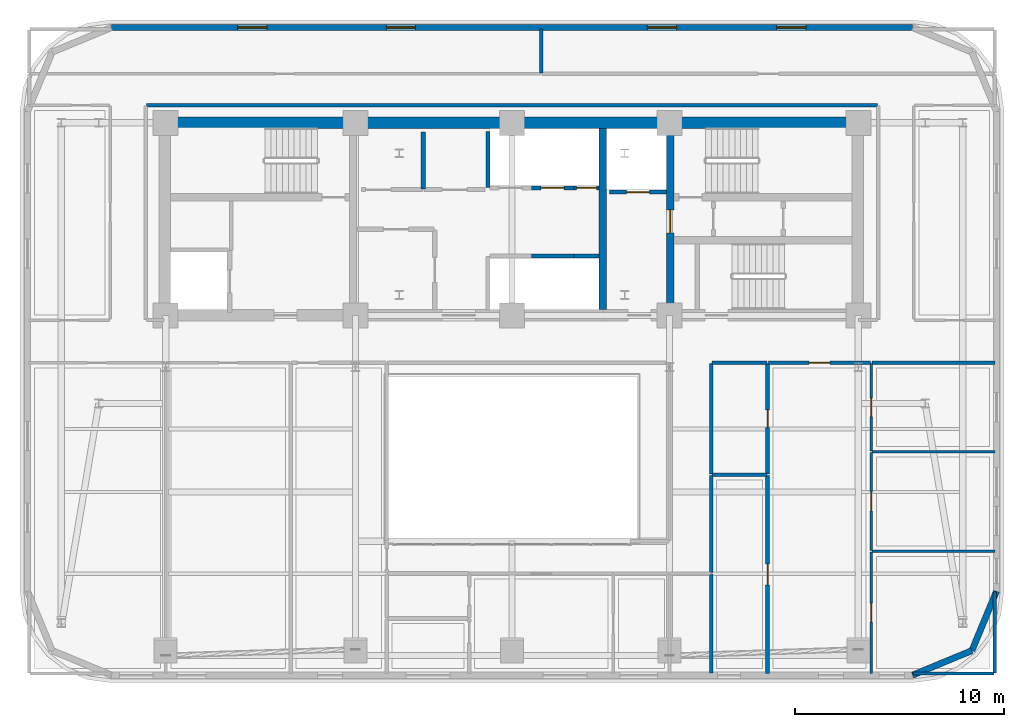
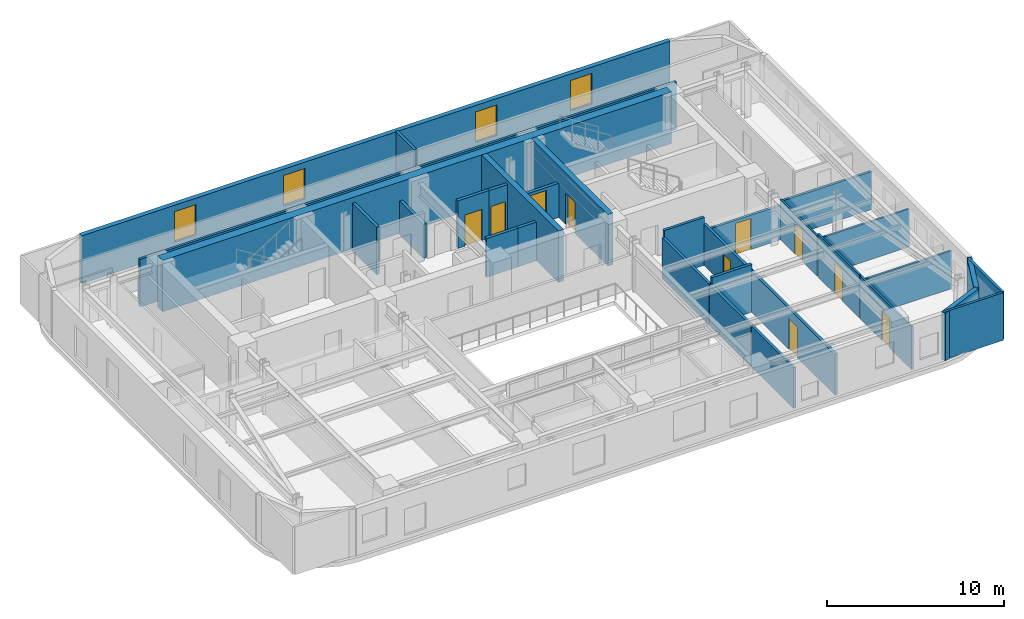
# One storey, part 7 of 12: 31 walls, 10 doors, 4 windows, 14 openings.
"""IFC4 building model written with IfcOpenShell, lengths in metres."""

from ifc_helpers import new_model, si_unit, direction, frame, frame_2d, origin, place, context, subcontext, project, spatial, rectangle, extrude, material, layer, layer_set, type_object, element, fill, save


model = new_model("IFC4")

# Units and contexts
model_context = context("Model", 3, precision=1e-05, world=origin(), true_north=direction((0.0, 1.0)))
body_context = subcontext(model_context, "Body", "Model", "MODEL_VIEW")
ifc_project = project(units=[si_unit("LENGTHUNIT", "METRE"), si_unit("AREAUNIT", "SQUARE_METRE"), si_unit("VOLUMEUNIT", "CUBIC_METRE"), si_unit("PLANEANGLEUNIT", "RADIAN"), si_unit("MASSUNIT", "GRAM", prefix="KILO")], contexts=[model_context])

# Site, building, storey
site_placement = place(None, origin())
site = spatial("IfcSite", under=ifc_project, at=site_placement, CompositionType="ELEMENT")
building_placement = place(site_placement, origin())
building = spatial("IfcBuilding", under=site, at=building_placement, Name="Zarnavel Station Tower", CompositionType="ELEMENT")
storey_placement = place(building_placement, frame((0.0, 0.0, 159.0)))
storey = spatial("IfcBuildingStorey", under=building, at=storey_placement, Name="L43", CompositionType="ELEMENT", Elevation=159.0)

# Wall
ifc_material_1 = material(Name="Concrete C50/60", Category="concrete")
ifc_layer_1 = layer(ifc_material_1, 0.35009765625)
ifc_layer_set_1 = layer_set([ifc_layer_1], Name="CW_350")
wall_type_1 = type_object("IfcWallType", Name="CW_350", PredefinedType="SHEAR", material=ifc_layer_set_1)
wall_1_placement = place(storey_placement, frame((33.14990234375, 28.094970703125, 0.0), z_axis=(0.0, 0.0, 1.0), x_axis=(0.0, 1.0, 0.0)))
element("IfcWall", 1, at=wall_1_placement, inside=storey, type_object=wall_type_1, Name="L43 Rear Core Shear Wall DIV-E", PredefinedType="SHEAR", context=body_context, shape_type="SweptSolid", body=[
    extrude(rectangle(XDim=8.679931640625, YDim=0.35009765625, at=frame_2d((4.33984375, 0.0))), origin(), (0.0, 0.0, 1.0), 3.550048828125),
])

# Wall, opening, door
wall_2_placement = place(storey_placement, frame((36.3798828125, 28.094970703125, 0.0), z_axis=(0.0, 0.0, 1.0), x_axis=(0.0, 1.0, 0.0)))
wall_2 = element("IfcWall", 2, at=wall_2_placement, inside=storey, type_object=wall_type_1, Name="L43 Rear Core Shear Wall DIV-S2", PredefinedType="SHEAR", context=body_context, shape_type="SweptSolid", body=[
    extrude(rectangle(XDim=8.679931640625, YDim=0.35009765625, at=frame_2d((4.33984375, 0.0))), origin(), (0.0, 0.0, 1.0), 3.550048828125),
])
opening_1_placement = place(wall_2_placement, frame((3.68505859375, 0.0, 0.0)))
opening_1 = element("IfcOpeningElement", 3, at=opening_1_placement, cuts=wall_2, Name="Opening FD01", PredefinedType="OPENING", context=body_context, shape_type="SweptSolid", body=[
    extrude(rectangle(XDim=1.10009765625, YDim=2.14990234375, at=frame_2d((0.550048828125, 1.074951171875))), frame((0.0, 0.18505859375, 0.0), z_axis=(0.0, -1.0, 0.0), x_axis=(1.0, 0.0, 0.0)), (0.0, 0.0, 1.0), 0.3701171875),
])
ifc_material_2 = material(Name="Painted Galvanised Steel and Hardwood Leaf", Category="steel")
door_type_1 = type_object("IfcDoorType", Name="ID_STAIR_1100", OperationType="NOTDEFINED", PredefinedType="DOOR", material=ifc_material_2)
door_1_placement = place(opening_1_placement, origin())
door_1 = element("IfcDoor", 4, at=door_1_placement, inside=storey, type_object=door_type_1, Name="L43 East Stair Vestibule Fire Door", OperationType="SINGLE_SWING_LEFT", OverallHeight=2.14990234375, OverallWidth=1.10009765625, PredefinedType="DOOR", context=body_context, shape_type="SweptSolid", body=[
    extrude(rectangle(XDim=1.10009765625, YDim=2.14990234375, at=frame_2d((0.550048828125, 1.074951171875))), frame((0.0, 0.02490234375, 0.0), z_axis=(0.0, -1.0, 0.0), x_axis=(1.0, 0.0, 0.0)), (0.0, 0.0, 1.0), 0.050048828125),
])
fill(opening_1, door_1)

# Walls
ifc_material_3 = material(Name="Concrete C50/60", Category="concrete")
ifc_layer_2 = layer(ifc_material_3, 0.550048828125)
ifc_layer_set_2 = layer_set([ifc_layer_2], Name="CW_550")
wall_type_2 = type_object("IfcWallType", Name="CW_550", PredefinedType="SHEAR", material=ifc_layer_set_2)
wall_3_placement = place(storey_placement, frame((12.14990234375, 37.050048828125, 0.0), z_axis=(0.0, 0.0, 1.0), x_axis=(1.0, 0.0, 0.0)))
element("IfcWall", 5, at=wall_3_placement, inside=storey, type_object=wall_type_2, Name="L43 Rear Core Shear Wall N", PredefinedType="SHEAR", context=body_context, shape_type="SweptSolid", body=[
    extrude(rectangle(XDim=33.22998046875, YDim=0.550048828125, at=frame_2d((16.614990234375, 0.0))), origin(), (0.0, 0.0, 1.0), 3.550048828125),
])
ifc_material_4 = material(Name="Precast concrete C45/55 (Dark Basalt Finish)", Category="masonry")
ifc_layer_3 = layer(ifc_material_4, 0.300048828125)
ifc_layer_set_3 = layer_set([ifc_layer_3], Name="EW_BASALT_300")
wall_type_3 = type_object("IfcWallType", Name="EW_BASALT_300", PredefinedType="SOLIDWALL", material=ifc_layer_set_3)
wall_4_placement = place(storey_placement, frame((50.842529296875, 11.75732421875, 0.0), z_axis=(0.0, 0.0, 1.0), x_axis=(-0.92389884758, -0.382636798336, 0.0)))
element("IfcWall", 6, at=wall_4_placement, inside=storey, type_object=wall_type_3, Name="L43 Exterior Basalt Masonry Frame Wall 01", PredefinedType="SOLIDWALL", context=body_context, shape_type="SweptSolid", body=[
    extrude(rectangle(XDim=3.07666015625, YDim=0.300048828125, at=frame_2d((1.538330078125, 0.0))), origin(), (0.0, 0.0, 1.0), 3.2900390625),
])
wall_5_placement = place(storey_placement, frame((52.02001953125, 14.60009765625, 0.0), z_axis=(0.0, 0.0, 1.0), x_axis=(-0.382676475685, -0.923882414032, 0.0)))
element("IfcWall", 7, at=wall_5_placement, inside=storey, type_object=wall_type_3, Name="L43 Exterior Basalt Masonry Frame Wall 02", PredefinedType="SOLIDWALL", context=body_context, shape_type="SweptSolid", body=[
    extrude(rectangle(XDim=3.076904296875, YDim=0.300048828125, at=frame_2d((1.53857421875, 0.0))), origin(), (0.0, 0.0, 1.0), 3.2900390625),
])

# Wall, openings, windows
wall_6_placement = place(storey_placement, frame((9.60009765625, 41.6201171875, 0.0), z_axis=(0.0, 0.0, 1.0), x_axis=(1.0, 0.0, 0.0)))
wall_6 = element("IfcWall", 8, at=wall_6_placement, inside=storey, type_object=wall_type_3, Name="L43 Exterior Basalt Masonry Frame Wall 06", PredefinedType="SOLIDWALL", context=body_context, shape_type="SweptSolid", body=[
    extrude(rectangle(XDim=38.39990234375, YDim=0.300048828125, at=frame_2d((19.199951171875, 0.0))), origin(), (0.0, 0.0, 1.0), 3.2900390625),
])
opening_2_placement = place(wall_6_placement, frame((6.046630859375, 0.0, 0.75)))
opening_2 = element("IfcOpeningElement", 9, at=opening_2_placement, cuts=wall_6, Name="Opening WN04", PredefinedType="OPENING", context=body_context, shape_type="SweptSolid", body=[
    extrude(rectangle(XDim=1.39990234375, YDim=2.10009765625, at=frame_2d((0.699951171875, 1.050048828125))), frame((0.0, 0.159912109375, 0.0), z_axis=(0.0, -1.0, 0.0), x_axis=(1.0, 0.0, 0.0)), (0.0, 0.0, 1.0), 0.320068359375),
])
opening_3_placement = place(wall_6_placement, frame((13.17333984375, 0.0, 0.75)))
opening_3 = element("IfcOpeningElement", 10, at=opening_3_placement, cuts=wall_6, Name="Opening WN04", PredefinedType="OPENING", context=body_context, shape_type="SweptSolid", body=[
    extrude(rectangle(XDim=1.39990234375, YDim=2.10009765625, at=frame_2d((0.699951171875, 1.050048828125))), frame((0.0, 0.159912109375, 0.0), z_axis=(0.0, -1.0, 0.0), x_axis=(1.0, 0.0, 0.0)), (0.0, 0.0, 1.0), 0.320068359375),
])
opening_4_placement = place(wall_6_placement, frame((25.693359375, 0.0, 0.75)))
opening_4 = element("IfcOpeningElement", 11, at=opening_4_placement, cuts=wall_6, Name="Opening WN04", PredefinedType="OPENING", context=body_context, shape_type="SweptSolid", body=[
    extrude(rectangle(XDim=1.39990234375, YDim=2.10009765625, at=frame_2d((0.699951171875, 1.050048828125))), frame((0.0, 0.159912109375, 0.0), z_axis=(0.0, -1.0, 0.0), x_axis=(1.0, 0.0, 0.0)), (0.0, 0.0, 1.0), 0.320068359375),
])
opening_5_placement = place(wall_6_placement, frame((31.88671875, 0.0, 0.75)))
opening_5 = element("IfcOpeningElement", 12, at=opening_5_placement, cuts=wall_6, Name="Opening WN04", PredefinedType="OPENING", context=body_context, shape_type="SweptSolid", body=[
    extrude(rectangle(XDim=1.39990234375, YDim=2.10009765625, at=frame_2d((0.699951171875, 1.050048828125))), frame((0.0, 0.159912109375, 0.0), z_axis=(0.0, -1.0, 0.0), x_axis=(1.0, 0.0, 0.0)), (0.0, 0.0, 1.0), 0.320068359375),
])
ifc_material_5 = material(Name="Thermally Broken Black Aluminium and Low-E Dark Glass", Category="aluminium")
window_type = type_object("IfcWindowType", Name="WN_1400x2100", PartitioningType="DOUBLE_PANEL_VERTICAL", PredefinedType="WINDOW", material=ifc_material_5)
window_1_placement = place(opening_2_placement, origin())
window_1 = element("IfcWindow", 13, at=window_1_placement, inside=storey, type_object=window_type, Name="L43 Recessed Facade Window 01", OverallHeight=2.10009765625, OverallWidth=1.39990234375, PartitioningType="SINGLE_PANEL", PredefinedType="WINDOW", context=body_context, shape_type="SweptSolid", body=[
    extrude(rectangle(XDim=1.39990234375, YDim=2.10009765625, at=frame_2d((0.699951171875, 1.050048828125))), frame((0.0, 0.030029296875, 0.0), z_axis=(0.0, -1.0, 0.0), x_axis=(1.0, 0.0, 0.0)), (0.0, 0.0, 1.0), 0.06005859375),
])
fill(opening_2, window_1)
window_2_placement = place(opening_3_placement, origin())
window_2 = element("IfcWindow", 14, at=window_2_placement, inside=storey, type_object=window_type, Name="L43 Recessed Facade Window 02", OverallHeight=2.10009765625, OverallWidth=1.39990234375, PartitioningType="SINGLE_PANEL", PredefinedType="WINDOW", context=body_context, shape_type="SweptSolid", body=[
    extrude(rectangle(XDim=1.39990234375, YDim=2.10009765625, at=frame_2d((0.699951171875, 1.050048828125))), frame((0.0, 0.030029296875, 0.0), z_axis=(0.0, -1.0, 0.0), x_axis=(1.0, 0.0, 0.0)), (0.0, 0.0, 1.0), 0.06005859375),
])
fill(opening_3, window_2)
window_3_placement = place(opening_4_placement, origin())
window_3 = element("IfcWindow", 15, at=window_3_placement, inside=storey, type_object=window_type, Name="L43 Recessed Facade Window 03", OverallHeight=2.10009765625, OverallWidth=1.39990234375, PartitioningType="SINGLE_PANEL", PredefinedType="WINDOW", context=body_context, shape_type="SweptSolid", body=[
    extrude(rectangle(XDim=1.39990234375, YDim=2.10009765625, at=frame_2d((0.699951171875, 1.050048828125))), frame((0.0, 0.030029296875, 0.0), z_axis=(0.0, -1.0, 0.0), x_axis=(1.0, 0.0, 0.0)), (0.0, 0.0, 1.0), 0.06005859375),
])
fill(opening_4, window_3)
window_4_placement = place(opening_5_placement, origin())
window_4 = element("IfcWindow", 16, at=window_4_placement, inside=storey, type_object=window_type, Name="L43 Recessed Facade Window 04", OverallHeight=2.10009765625, OverallWidth=1.39990234375, PartitioningType="SINGLE_PANEL", PredefinedType="WINDOW", context=body_context, shape_type="SweptSolid", body=[
    extrude(rectangle(XDim=1.39990234375, YDim=2.10009765625, at=frame_2d((0.699951171875, 1.050048828125))), frame((0.0, 0.030029296875, 0.0), z_axis=(0.0, -1.0, 0.0), x_axis=(1.0, 0.0, 0.0)), (0.0, 0.0, 1.0), 0.06005859375),
])
fill(opening_5, window_4)

# Wall, opening, door
ifc_material_6 = material(Name="Gypsum Twin-Stud Acoustic Fire Partition", Category="concrete")
ifc_layer_4 = layer(ifc_material_6, 0.159912109375)
ifc_layer_set_4 = layer_set([ifc_layer_4], Name="PT_DEMISE_160")
wall_type_4 = type_object("IfcWallType", Name="PT_DEMISE_160", PredefinedType="PARTITIONING", material=ifc_layer_set_4)
wall_7_placement = place(storey_placement, frame((41.090087890625, 25.550048828125, 0.0), z_axis=(0.0, 0.0, 1.0), x_axis=(1.0, 0.0, 0.0)))
wall_7 = element("IfcWall", 17, at=wall_7_placement, inside=storey, type_object=wall_type_4, Name="L43 Partition COR-S-UE1LV", PredefinedType="PARTITIONING", context=body_context, shape_type="SweptSolid", body=[
    extrude(rectangle(XDim=4.889892578125, YDim=0.159912109375, at=frame_2d((2.44482421875, 0.0))), origin(), (0.0, 0.0, 1.0), 2.360107421875),
])
opening_6_placement = place(wall_7_placement, frame((1.945068359375, 0.0, 0.0)))
opening_6 = element("IfcOpeningElement", 18, at=opening_6_placement, cuts=wall_7, Name="Opening FD02", PredefinedType="OPENING", context=body_context, shape_type="SweptSolid", body=[
    extrude(rectangle(XDim=1.0, YDim=2.14990234375, at=frame_2d((0.5, 1.074951171875))), frame((0.0, 0.08984375, 0.0), z_axis=(0.0, -1.0, 0.0), x_axis=(1.0, 0.0, 0.0)), (0.0, 0.0, 1.0), 0.179931640625),
])
ifc_material_7 = material(Name="Painted Galvanised Steel and Hardwood Leaf", Category="steel")
door_type_2 = type_object("IfcDoorType", Name="ID_ENTRY_1000", OperationType="NOTDEFINED", PredefinedType="DOOR", material=ifc_material_7)
door_2_placement = place(opening_6_placement, origin())
door_2 = element("IfcDoor", 19, at=door_2_placement, inside=storey, type_object=door_type_2, Name="L43 Door COR-S-UE1LV", OperationType="SINGLE_SWING_LEFT", OverallHeight=2.14990234375, OverallWidth=1.0, PredefinedType="DOOR", context=body_context, shape_type="SweptSolid", body=[
    extrude(rectangle(XDim=1.0, YDim=2.14990234375, at=frame_2d((0.5, 1.074951171875))), frame((0.0, 0.02490234375, 0.0), z_axis=(0.0, -1.0, 0.0), x_axis=(1.0, 0.0, 0.0)), (0.0, 0.0, 1.0), 0.050048828125),
])
fill(opening_6, door_2)

# Walls
wall_8_placement = place(storey_placement, frame((46.06005859375, 25.550048828125, 0.0), z_axis=(0.0, 0.0, 1.0), x_axis=(1.0, 0.0, 0.0)))
element("IfcWall", 20, at=wall_8_placement, inside=storey, type_object=wall_type_4, Name="L43 Partition COR-S-UE1B3", PredefinedType="PARTITIONING", context=body_context, shape_type="SweptSolid", body=[
    extrude(rectangle(XDim=5.8798828125, YDim=0.159912109375, at=frame_2d((2.93994140625, 0.0))), origin(), (0.0, 0.0, 1.0), 2.6201171875),
])
wall_9_placement = place(storey_placement, frame((11.280029296875, 37.89990234375, 0.0), z_axis=(0.0, 0.0, 1.0), x_axis=(1.0, 0.0, 0.0)))
element("IfcWall", 21, at=wall_9_placement, inside=storey, type_object=wall_type_4, Name="L43 Enclosure Wall COR-N", PredefinedType="PARTITIONING", context=body_context, shape_type="SweptSolid", body=[
    extrude(rectangle(XDim=35.0400390625, YDim=0.159912109375, at=frame_2d((17.52001953125, 0.0))), origin(), (0.0, 0.0, 1.0), 3.2900390625),
])
wall_10_placement = place(storey_placement, frame((38.35009765625, 10.68994140625, 0.0), z_axis=(0.0, 0.0, 1.0), x_axis=(0.0, 1.0, 0.0)))
element("IfcWall", 22, at=wall_10_placement, inside=storey, type_object=wall_type_4, Name="L43 Enclosure Wall UE1KT", PredefinedType="PARTITIONING", context=body_context, shape_type="SweptSolid", body=[
    extrude(rectangle(XDim=4.72998046875, YDim=0.159912109375, at=frame_2d((2.364990234375, 0.0))), origin(), (0.0, 0.0, 1.0), 2.820068359375),
])
wall_11_placement = place(storey_placement, frame((48.030029296875, 10.659912109375, 0.0), z_axis=(0.0, 0.0, 1.0), x_axis=(1.0, 0.0, 0.0)))
element("IfcWall", 23, at=wall_11_placement, inside=storey, type_object=wall_type_4, Name="L43 Enclosure Wall UE1B1", PredefinedType="PARTITIONING", context=body_context, shape_type="SweptSolid", body=[
    extrude(rectangle(XDim=3.8798828125, YDim=0.159912109375, at=frame_2d((1.93994140625, 0.0))), origin(), (0.0, 0.0, 1.0), 3.2900390625),
])
wall_12_placement = place(storey_placement, frame((51.93994140625, 10.68994140625, 0.0), z_axis=(0.0, 0.0, 1.0), x_axis=(0.0, 1.0, 0.0)))
element("IfcWall", 24, at=wall_12_placement, inside=storey, type_object=wall_type_4, Name="L43 Enclosure Wall UE1B1", PredefinedType="PARTITIONING", context=body_context, shape_type="SweptSolid", body=[
    extrude(rectangle(XDim=3.880126953125, YDim=0.159912109375, at=frame_2d((1.93994140625, 0.0))), origin(), (0.0, 0.0, 1.0), 3.2900390625),
])

# Wall, opening, door
ifc_material_8 = material(Name="Gypsum Metal-Stud Interior Partition", Category="concrete")
ifc_layer_5 = layer(ifc_material_8, 0.1201171875)
ifc_layer_set_5 = layer_set([ifc_layer_5], Name="PT_ROOM_120")
wall_type_5 = type_object("IfcWallType", Name="PT_ROOM_120", PredefinedType="PARTITIONING", material=ifc_layer_set_5)
wall_13_placement = place(storey_placement, frame((46.02001953125, 10.659912109375, 0.0), z_axis=(0.0, 0.0, 1.0), x_axis=(0.0, 1.0, 0.0)))
wall_13 = element("IfcWall", 25, at=wall_13_placement, inside=storey, type_object=wall_type_5, Name="L43 Partition UE1LV-UE1B1", PredefinedType="PARTITIONING", context=body_context, shape_type="SweptSolid", body=[
    extrude(rectangle(XDim=5.817138671875, YDim=0.1201171875, at=frame_2d((2.90869140625, 0.0))), origin(), (0.0, 0.0, 1.0), 2.969970703125),
])
opening_7_placement = place(wall_13_placement, frame((2.45849609375, 0.0, 0.0)))
opening_7 = element("IfcOpeningElement", 26, at=opening_7_placement, cuts=wall_13, Name="Opening ID01", PredefinedType="OPENING", context=body_context, shape_type="SweptSolid", body=[
    extrude(rectangle(XDim=0.89990234375, YDim=2.10009765625, at=frame_2d((0.449951171875, 1.050048828125))), frame((0.0, 0.070068359375, 0.0), z_axis=(0.0, -1.0, 0.0), x_axis=(1.0, 0.0, 0.0)), (0.0, 0.0, 1.0), 0.14013671875),
])
ifc_material_9 = material(Name="Painted Galvanised Steel and Hardwood Leaf", Category="steel")
door_type_3 = type_object("IfcDoorType", Name="ID_ROOM_900", OperationType="NOTDEFINED", PredefinedType="DOOR", material=ifc_material_9)
door_3_placement = place(opening_7_placement, origin())
door_3 = element("IfcDoor", 27, at=door_3_placement, inside=storey, type_object=door_type_3, Name="L43 Door UE1LV-UE1B1", OperationType="SINGLE_SWING_LEFT", OverallHeight=2.10009765625, OverallWidth=0.89990234375, PredefinedType="DOOR", context=body_context, shape_type="SweptSolid", body=[
    extrude(rectangle(XDim=0.89990234375, YDim=2.10009765625, at=frame_2d((0.449951171875, 1.050048828125))), frame((0.0, 0.02490234375, 0.0), z_axis=(0.0, -1.0, 0.0), x_axis=(1.0, 0.0, 0.0)), (0.0, 0.0, 1.0), 0.050048828125),
])
fill(opening_7, door_3)

wall_14_placement = place(storey_placement, frame((46.02001953125, 16.556884765625, 0.0), z_axis=(0.0, 0.0, 1.0), x_axis=(0.0, 1.0, 0.0)))
wall_14 = element("IfcWall", 28, at=wall_14_placement, inside=storey, type_object=wall_type_5, Name="L43 Partition UE1LV-UE1B2", PredefinedType="PARTITIONING", context=body_context, shape_type="SweptSolid", body=[
    extrude(rectangle(XDim=4.68505859375, YDim=0.1201171875, at=frame_2d((2.342529296875, 0.0))), origin(), (0.0, 0.0, 1.0), 2.969970703125),
])
opening_8_placement = place(wall_14_placement, frame((1.892578125, 0.0, 0.0)))
opening_8 = element("IfcOpeningElement", 29, at=opening_8_placement, cuts=wall_14, Name="Opening ID01", PredefinedType="OPENING", context=body_context, shape_type="SweptSolid", body=[
    extrude(rectangle(XDim=0.89990234375, YDim=2.10009765625, at=frame_2d((0.449951171875, 1.050048828125))), frame((0.0, 0.070068359375, 0.0), z_axis=(0.0, -1.0, 0.0), x_axis=(1.0, 0.0, 0.0)), (0.0, 0.0, 1.0), 0.14013671875),
])
door_4_placement = place(opening_8_placement, origin())
door_4 = element("IfcDoor", 30, at=door_4_placement, inside=storey, type_object=door_type_3, Name="L43 Door UE1LV-UE1B2", OperationType="SINGLE_SWING_RIGHT", OverallHeight=2.10009765625, OverallWidth=0.89990234375, PredefinedType="DOOR", context=body_context, shape_type="SweptSolid", body=[
    extrude(rectangle(XDim=0.89990234375, YDim=2.10009765625, at=frame_2d((0.449951171875, 1.050048828125))), frame((0.0, 0.02490234375, 0.0), z_axis=(0.0, -1.0, 0.0), x_axis=(1.0, 0.0, 0.0)), (0.0, 0.0, 1.0), 0.050048828125),
])
fill(opening_8, door_4)

wall_15_placement = place(storey_placement, frame((46.02001953125, 21.322021484375, 0.0), z_axis=(0.0, 0.0, 1.0), x_axis=(0.0, 1.0, 0.0)))
wall_15 = element("IfcWall", 31, at=wall_15_placement, inside=storey, type_object=wall_type_5, Name="L43 Partition UE1LV-UE1B3", PredefinedType="PARTITIONING", context=body_context, shape_type="SweptSolid", body=[
    extrude(rectangle(XDim=4.18798828125, YDim=0.1201171875, at=frame_2d((2.093994140625, 0.0))), origin(), (0.0, 0.0, 1.0), 2.77001953125),
])
opening_9_placement = place(wall_15_placement, frame((1.64404296875, 0.0, 0.0)))
opening_9 = element("IfcOpeningElement", 32, at=opening_9_placement, cuts=wall_15, Name="Opening ID01", PredefinedType="OPENING", context=body_context, shape_type="SweptSolid", body=[
    extrude(rectangle(XDim=0.89990234375, YDim=2.10009765625, at=frame_2d((0.449951171875, 1.050048828125))), frame((0.0, 0.070068359375, 0.0), z_axis=(0.0, -1.0, 0.0), x_axis=(1.0, 0.0, 0.0)), (0.0, 0.0, 1.0), 0.14013671875),
])
door_5_placement = place(opening_9_placement, origin())
door_5 = element("IfcDoor", 33, at=door_5_placement, inside=storey, type_object=door_type_3, Name="L43 Door UE1LV-UE1B3", OperationType="SINGLE_SWING_LEFT", OverallHeight=2.10009765625, OverallWidth=0.89990234375, PredefinedType="DOOR", context=body_context, shape_type="SweptSolid", body=[
    extrude(rectangle(XDim=0.89990234375, YDim=2.10009765625, at=frame_2d((0.449951171875, 1.050048828125))), frame((0.0, 0.02490234375, 0.0), z_axis=(0.0, -1.0, 0.0), x_axis=(1.0, 0.0, 0.0)), (0.0, 0.0, 1.0), 0.050048828125),
])
fill(opening_9, door_5)

# Walls
for number, where, z_axis, x_axis, name in (
    (34, (46.06005859375, 16.51708984375, 0.0), (0.0, 0.0, 1.0), (1.0, 0.0, 0.0), "L43 Partition UE1B1-UE1B2"),
    (35, (46.06005859375, 21.281982421875, 0.0), (0.0, 0.0, 1.0), (1.0, 0.0, 0.0), "L43 Partition UE1B2-UE1B3"),
):
    element("IfcWall", number, at=place(storey_placement, frame(where, z_axis=z_axis, x_axis=x_axis)), inside=storey, type_object=wall_type_5, Name=name, PredefinedType="PARTITIONING", context=body_context, shape_type="SweptSolid", body=[
        extrude(rectangle(XDim=5.8798828125, YDim=0.1201171875, at=frame_2d((2.93994140625, 0.0))), origin(), (0.0, 0.0, 1.0), 2.6201171875),
    ])

# Wall, opening, door
ifc_material_10 = material(Name="Precast concrete C45/55 (Fire Shaft Blockwork)", Category="masonry")
ifc_layer_6 = layer(ifc_material_10, 0.199951171875)
ifc_layer_set_6 = layer_set([ifc_layer_6], Name="PT_SHAFT_200")
wall_type_6 = type_object("IfcWallType", Name="PT_SHAFT_200", PredefinedType="PARTITIONING", material=ifc_layer_set_6)
wall_16_placement = place(storey_placement, frame((33.47509765625, 33.72998046875, 0.0), z_axis=(0.0, 0.0, 1.0), x_axis=(1.0, 0.0, 0.0)))
wall_16 = element("IfcWall", 36, at=wall_16_placement, inside=storey, type_object=wall_type_6, Name="L43 Lift FFL-02 Shaft Front Wall", PredefinedType="PARTITIONING", context=body_context, shape_type="SweptSolid", body=[
    extrude(rectangle(XDim=2.724853515625, YDim=0.199951171875, at=frame_2d((1.3623046875, 0.0))), origin(), (0.0, 0.0, 1.0), 2.360107421875),
])
opening_10_placement = place(wall_16_placement, frame((0.8125, 0.0, 0.0)))
opening_10 = element("IfcOpeningElement", 37, at=opening_10_placement, cuts=wall_16, Name="Opening LD01", PredefinedType="OPENING", context=body_context, shape_type="SweptSolid", body=[
    extrude(rectangle(XDim=1.10009765625, YDim=2.14990234375, at=frame_2d((0.550048828125, 1.074951171875))), frame((0.0, 0.10986328125, 0.0), z_axis=(0.0, -1.0, 0.0), x_axis=(1.0, 0.0, 0.0)), (0.0, 0.0, 1.0), 0.219970703125),
])
ifc_material_11 = material(Name="Painted Galvanised Steel and Hardwood Leaf", Category="steel")
door_type_4 = type_object("IfcDoorType", Name="LD_FF_1100", OperationType="DOUBLE_DOOR_SLIDING", PredefinedType="DOOR", material=ifc_material_11)
door_6_placement = place(opening_10_placement, origin())
door_6 = element("IfcDoor", 38, at=door_6_placement, inside=storey, type_object=door_type_4, Name="L43 Lift FFL-02 Sliding Landing Door", OperationType="DOUBLE_DOOR_SLIDING", OverallHeight=2.14990234375, OverallWidth=1.10009765625, PredefinedType="DOOR", context=body_context, shape_type="SweptSolid", body=[
    extrude(rectangle(XDim=1.10009765625, YDim=2.14990234375, at=frame_2d((0.550048828125, 1.074951171875))), frame((0.0, 0.02490234375, 0.0), z_axis=(0.0, -1.0, 0.0), x_axis=(1.0, 0.0, 0.0)), (0.0, 0.0, 1.0), 0.050048828125),
])
fill(opening_10, door_6)

# Walls
wall_17_placement = place(storey_placement, frame((29.72509765625, 30.669921875, 0.0), z_axis=(0.0, 0.0, 1.0), x_axis=(1.0, 0.0, 0.0)))
element("IfcWall", 39, at=wall_17_placement, inside=storey, type_object=wall_type_6, Name="L43 Lift PL-H2 Shaft Front Wall", PredefinedType="PARTITIONING", context=body_context, shape_type="SweptSolid", body=[
    extrude(rectangle(XDim=2.0498046875, YDim=0.199951171875, at=frame_2d((1.02490234375, 0.0))), origin(), (0.0, 0.0, 1.0), 2.669921875),
])
wall_18_placement = place(storey_placement, frame((31.77490234375, 30.669921875, 0.0), z_axis=(0.0, 0.0, 1.0), x_axis=(1.0, 0.0, 0.0)))
element("IfcWall", 40, at=wall_18_placement, inside=storey, type_object=wall_type_6, Name="L43 Lift PL-H3 Shaft Front Wall", PredefinedType="PARTITIONING", context=body_context, shape_type="SweptSolid", body=[
    extrude(rectangle(XDim=1.2001953125, YDim=0.199951171875, at=frame_2d((0.60009765625, 0.0))), origin(), (0.0, 0.0, 1.0), 2.669921875),
])
wall_19_placement = place(storey_placement, frame((27.64990234375, 33.949951171875, 0.0), z_axis=(0.0, 0.0, 1.0), x_axis=(0.0, 1.0, 0.0)))
element("IfcWall", 41, at=wall_19_placement, inside=storey, type_object=wall_type_6, Name="L43 Mid-Rise Lift Bank West Shaft Wall", PredefinedType="PARTITIONING", context=body_context, shape_type="SweptSolid", body=[
    extrude(rectangle(XDim=2.679931640625, YDim=0.199951171875, at=frame_2d((1.33984375, 0.0))), origin(), (0.0, 0.0, 1.0), 2.360107421875),
])

# Wall, opening, door
wall_20_placement = place(storey_placement, frame((29.72509765625, 33.929931640625, 0.0), z_axis=(0.0, 0.0, 1.0), x_axis=(1.0, 0.0, 0.0)))
wall_20 = element("IfcWall", 42, at=wall_20_placement, inside=storey, type_object=wall_type_6, Name="L43 Lift PL-M2 Shaft Front Wall", PredefinedType="PARTITIONING", context=body_context, shape_type="SweptSolid", body=[
    extrude(rectangle(XDim=2.0498046875, YDim=0.199951171875, at=frame_2d((1.02490234375, 0.0))), origin(), (0.0, 0.0, 1.0), 3.2900390625),
])
opening_11_placement = place(wall_20_placement, frame((0.47509765625, 0.0, 0.0)))
opening_11 = element("IfcOpeningElement", 43, at=opening_11_placement, cuts=wall_20, Name="Opening LD02", PredefinedType="OPENING", context=body_context, shape_type="SweptSolid", body=[
    extrude(rectangle(XDim=1.10009765625, YDim=2.14990234375, at=frame_2d((0.550048828125, 1.074951171875))), frame((0.0, 0.10986328125, 0.0), z_axis=(0.0, -1.0, 0.0), x_axis=(1.0, 0.0, 0.0)), (0.0, 0.0, 1.0), 0.219970703125),
])
ifc_material_12 = material(Name="Painted Galvanised Steel and Hardwood Leaf", Category="steel")
door_type_5 = type_object("IfcDoorType", Name="LD_PAX_1100", OperationType="DOUBLE_DOOR_SLIDING", PredefinedType="DOOR", material=ifc_material_12)
door_7_placement = place(opening_11_placement, origin())
door_7 = element("IfcDoor", 44, at=door_7_placement, inside=storey, type_object=door_type_5, Name="L43 Lift PL-M2 Sliding Landing Door", OperationType="DOUBLE_DOOR_SLIDING", OverallHeight=2.14990234375, OverallWidth=1.10009765625, PredefinedType="DOOR", context=body_context, shape_type="SweptSolid", body=[
    extrude(rectangle(XDim=1.10009765625, YDim=2.14990234375, at=frame_2d((0.550048828125, 1.074951171875))), frame((0.0, 0.02490234375, 0.0), z_axis=(0.0, -1.0, 0.0), x_axis=(1.0, 0.0, 0.0)), (0.0, 0.0, 1.0), 0.050048828125),
])
fill(opening_11, door_7)

wall_21_placement = place(storey_placement, frame((31.77490234375, 33.929931640625, 0.0), z_axis=(0.0, 0.0, 1.0), x_axis=(1.0, 0.0, 0.0)))
wall_21 = element("IfcWall", 45, at=wall_21_placement, inside=storey, type_object=wall_type_6, Name="L43 Lift PL-M3 Shaft Front Wall", PredefinedType="PARTITIONING", context=body_context, shape_type="SweptSolid", body=[
    extrude(rectangle(XDim=1.2001953125, YDim=0.199951171875, at=frame_2d((0.60009765625, 0.0))), origin(), (0.0, 0.0, 1.0), 3.2900390625),
])
opening_12_placement = place(wall_21_placement, frame((0.125, 0.0, 0.0)))
opening_12 = element("IfcOpeningElement", 46, at=opening_12_placement, cuts=wall_21, Name="Opening LD03", PredefinedType="OPENING", context=body_context, shape_type="SweptSolid", body=[
    extrude(rectangle(XDim=0.949951171875, YDim=2.14990234375, at=frame_2d((0.47509765625, 1.074951171875))), frame((0.0, 0.10986328125, 0.0), z_axis=(0.0, -1.0, 0.0), x_axis=(1.0, 0.0, 0.0)), (0.0, 0.0, 1.0), 0.219970703125),
])
ifc_material_13 = material(Name="Painted Galvanised Steel and Hardwood Leaf", Category="steel")
door_type_6 = type_object("IfcDoorType", Name="LD_PAX_0950", OperationType="DOUBLE_DOOR_SLIDING", PredefinedType="DOOR", material=ifc_material_13)
door_8_placement = place(opening_12_placement, origin())
door_8 = element("IfcDoor", 47, at=door_8_placement, inside=storey, type_object=door_type_6, Name="L43 Lift PL-M3 Sliding Landing Door", OperationType="DOUBLE_DOOR_SLIDING", OverallHeight=2.14990234375, OverallWidth=0.949951171875, PredefinedType="DOOR", context=body_context, shape_type="SweptSolid", body=[
    extrude(rectangle(XDim=0.949951171875, YDim=2.14990234375, at=frame_2d((0.47509765625, 1.074951171875))), frame((0.0, 0.02490234375, 0.0), z_axis=(0.0, -1.0, 0.0), x_axis=(1.0, 0.0, 0.0)), (0.0, 0.0, 1.0), 0.050048828125),
])
fill(opening_12, door_8)

# Walls
wall_22_placement = place(storey_placement, frame((24.550048828125, 33.889892578125, 0.0), z_axis=(0.0, 0.0, 1.0), x_axis=(0.0, 1.0, 0.0)))
element("IfcWall", 48, at=wall_22_placement, inside=storey, type_object=wall_type_6, Name="L43 Partition FB1A-FB1B", PredefinedType="PARTITIONING", context=body_context, shape_type="SweptSolid", body=[
    extrude(rectangle(XDim=2.72021484375, YDim=0.199951171875, at=frame_2d((1.360107421875, 0.0))), origin(), (0.0, 0.0, 1.0), 3.2900390625),
])
ifc_material_14 = material(Name="Moisture-Resistant Plumbing Chase Wall", Category="concrete")
ifc_layer_7 = layer(ifc_material_14, 0.179931640625)
ifc_layer_set_7 = layer_set([ifc_layer_7], Name="PW_PLUMB_180")
wall_type_7 = type_object("IfcWallType", Name="PW_PLUMB_180", PredefinedType="PLUMBINGWALL", material=ifc_layer_set_7)
wall_23_placement = place(storey_placement, frame((38.389892578125, 25.550048828125, 0.0), z_axis=(0.0, 0.0, 1.0), x_axis=(1.0, 0.0, 0.0)))
element("IfcWall", 49, at=wall_23_placement, inside=storey, type_object=wall_type_7, Name="L43 Partition COR-S-UE1BA", PredefinedType="PLUMBINGWALL", context=body_context, shape_type="SweptSolid", body=[
    extrude(rectangle(XDim=2.6201171875, YDim=0.179931640625, at=frame_2d((1.31005859375, 0.0))), origin(), (0.0, 0.0, 1.0), 3.2900390625),
])
wall_24_placement = place(storey_placement, frame((38.35009765625, 15.489990234375, 0.0), z_axis=(0.0, 0.0, 1.0), x_axis=(0.0, 1.0, 0.0)))
element("IfcWall", 50, at=wall_24_placement, inside=storey, type_object=wall_type_7, Name="L43 Partition COR-AE-UE1KT", PredefinedType="PLUMBINGWALL", context=body_context, shape_type="SweptSolid", body=[
    extrude(rectangle(XDim=4.659912109375, YDim=0.179931640625, at=frame_2d((2.330078125, 0.0))), origin(), (0.0, 0.0, 1.0), 2.820068359375),
])
wall_25_placement = place(storey_placement, frame((38.35009765625, 20.22998046875, 0.0), z_axis=(0.0, 0.0, 1.0), x_axis=(0.0, 1.0, 0.0)))
element("IfcWall", 51, at=wall_25_placement, inside=storey, type_object=wall_type_7, Name="L43 Partition COR-AE-UE1BA", PredefinedType="PLUMBINGWALL", context=body_context, shape_type="SweptSolid", body=[
    extrude(rectangle(XDim=5.280029296875, YDim=0.179931640625, at=frame_2d((2.64013671875, 0.0))), origin(), (0.0, 0.0, 1.0), 2.820068359375),
])
wall_26_placement = place(storey_placement, frame((30.199951171875, 39.43994140625, 0.0), z_axis=(0.0, 0.0, 1.0), x_axis=(0.0, 1.0, 0.0)))
element("IfcWall", 52, at=wall_26_placement, inside=storey, type_object=wall_type_7, Name="L43 Partition NLOU-NPAN", PredefinedType="PLUMBINGWALL", context=body_context, shape_type="SweptSolid", body=[
    extrude(rectangle(XDim=2.10009765625, YDim=0.179931640625, at=frame_2d((1.050048828125, 0.0))), origin(), (0.0, 0.0, 1.0), 3.2900390625),
])

# Wall, opening, door
wall_27_placement = place(storey_placement, frame((41.050048828125, 10.659912109375, 0.0), z_axis=(0.0, 0.0, 1.0), x_axis=(0.0, 1.0, 0.0)))
wall_27 = element("IfcWall", 53, at=wall_27_placement, inside=storey, type_object=wall_type_7, Name="L43 Partition UE1LV-UE1KT", PredefinedType="PLUMBINGWALL", context=body_context, shape_type="SweptSolid", body=[
    extrude(rectangle(XDim=9.489990234375, YDim=0.179931640625, at=frame_2d((4.7451171875, 0.0))), origin(), (0.0, 0.0, 1.0), 2.820068359375),
])
opening_13_placement = place(wall_27_placement, frame((4.2451171875, 0.0, 0.0)))
opening_13 = element("IfcOpeningElement", 54, at=opening_13_placement, cuts=wall_27, Name="Opening FD02", PredefinedType="OPENING", context=body_context, shape_type="SweptSolid", body=[
    extrude(rectangle(XDim=1.0, YDim=2.14990234375, at=frame_2d((0.5, 1.074951171875))), frame((0.0, 0.099853515625, 0.0), z_axis=(0.0, -1.0, 0.0), x_axis=(1.0, 0.0, 0.0)), (0.0, 0.0, 1.0), 0.199951171875),
])
door_9_placement = place(opening_13_placement, origin())
door_9 = element("IfcDoor", 55, at=door_9_placement, inside=storey, type_object=door_type_2, Name="L43 Door UE1LV-UE1KT", OperationType="SINGLE_SWING_LEFT", OverallHeight=2.14990234375, OverallWidth=1.0, PredefinedType="DOOR", context=body_context, shape_type="SweptSolid", body=[
    extrude(rectangle(XDim=1.0, YDim=2.14990234375, at=frame_2d((0.5, 1.074951171875))), frame((0.0, 0.02490234375, 0.0), z_axis=(0.0, -1.0, 0.0), x_axis=(1.0, 0.0, 0.0)), (0.0, 0.0, 1.0), 0.050048828125),
])
fill(opening_13, door_9)

wall_28_placement = place(storey_placement, frame((41.050048828125, 20.22998046875, 0.0), z_axis=(0.0, 0.0, 1.0), x_axis=(0.0, 1.0, 0.0)))
wall_28 = element("IfcWall", 56, at=wall_28_placement, inside=storey, type_object=wall_type_7, Name="L43 Partition UE1LV-UE1BA", PredefinedType="PLUMBINGWALL", context=body_context, shape_type="SweptSolid", body=[
    extrude(rectangle(XDim=5.280029296875, YDim=0.179931640625, at=frame_2d((2.64013671875, 0.0))), origin(), (0.0, 0.0, 1.0), 2.820068359375),
])
opening_14_placement = place(wall_28_placement, frame((2.215087890625, 0.0, 0.0)))
opening_14 = element("IfcOpeningElement", 57, at=opening_14_placement, cuts=wall_28, Name="Opening ID02", PredefinedType="OPENING", context=body_context, shape_type="SweptSolid", body=[
    extrude(rectangle(XDim=0.85009765625, YDim=2.10009765625, at=frame_2d((0.425048828125, 1.050048828125))), frame((0.0, 0.099853515625, 0.0), z_axis=(0.0, -1.0, 0.0), x_axis=(1.0, 0.0, 0.0)), (0.0, 0.0, 1.0), 0.199951171875),
])
ifc_material_15 = material(Name="Painted Galvanised Steel and Hardwood Leaf", Category="steel")
door_type_7 = type_object("IfcDoorType", Name="ID_BATH_850", OperationType="NOTDEFINED", PredefinedType="DOOR", material=ifc_material_15)
door_10_placement = place(opening_14_placement, origin())
door_10 = element("IfcDoor", 58, at=door_10_placement, inside=storey, type_object=door_type_7, Name="L43 Door UE1LV-UE1BA", OperationType="SINGLE_SWING_RIGHT", OverallHeight=2.10009765625, OverallWidth=0.85009765625, PredefinedType="DOOR", context=body_context, shape_type="SweptSolid", body=[
    extrude(rectangle(XDim=0.85009765625, YDim=2.10009765625, at=frame_2d((0.425048828125, 1.050048828125))), frame((0.0, 0.02490234375, 0.0), z_axis=(0.0, -1.0, 0.0), x_axis=(1.0, 0.0, 0.0)), (0.0, 0.0, 1.0), 0.050048828125),
])
fill(opening_14, door_10)

# Wall
wall_29_placement = place(storey_placement, frame((38.389892578125, 20.18994140625, 0.0), z_axis=(0.0, 0.0, 1.0), x_axis=(1.0, 0.0, 0.0)))
element("IfcWall", 59, at=wall_29_placement, inside=storey, type_object=wall_type_7, Name="L43 Partition UE1KT-UE1BA", PredefinedType="PLUMBINGWALL", context=body_context, shape_type="SweptSolid", body=[
    extrude(rectangle(XDim=2.6201171875, YDim=0.179931640625, at=frame_2d((1.31005859375, 0.0))), origin(), (0.0, 0.0, 1.0), 3.2900390625),
])

save(model, "model.ifc")
